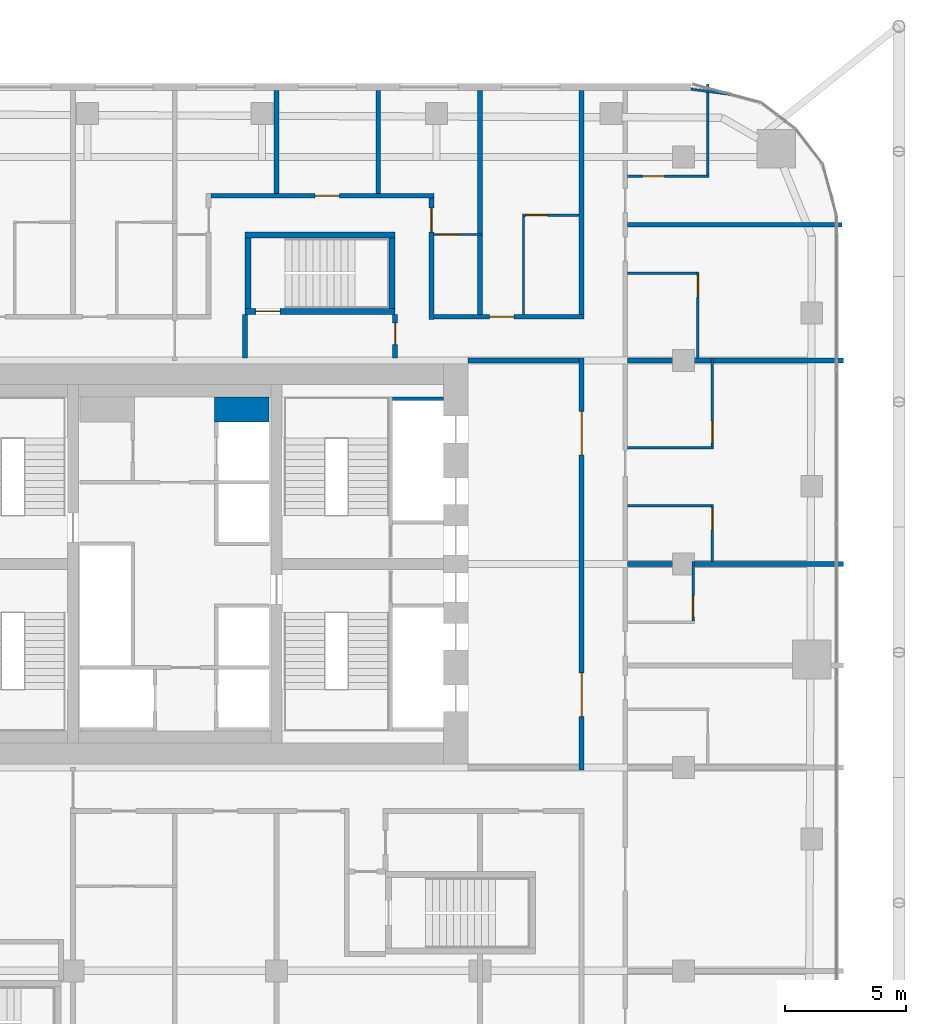
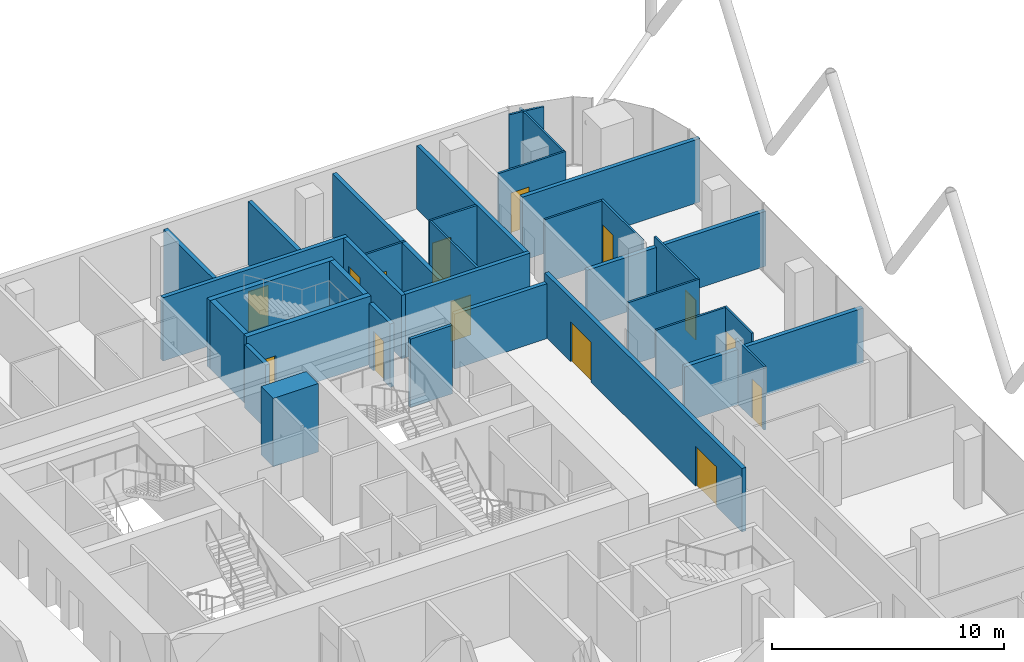
# One storey, part 30 of 33: 33 walls, 14 doors, 14 openings.
"""IFC4 building model written with IfcOpenShell, lengths in metres."""

from ifc_helpers import new_model, si_unit, direction, frame, frame_2d, origin, place, context, subcontext, project, spatial, rectangle, extrude, material, layer, layer_set, type_object, element, fill, save


model = new_model("IFC4")

# Units and contexts
model_context = context("Model", 3, precision=1e-05, world=origin(), true_north=direction((0.0, 1.0)))
body_context = subcontext(model_context, "Body", "Model", "MODEL_VIEW")
ifc_project = project(units=[si_unit("LENGTHUNIT", "METRE"), si_unit("AREAUNIT", "SQUARE_METRE"), si_unit("VOLUMEUNIT", "CUBIC_METRE"), si_unit("PLANEANGLEUNIT", "RADIAN"), si_unit("MASSUNIT", "GRAM", prefix="KILO")], contexts=[model_context])

# Site, building, storey
site_placement = place(None, origin())
site = spatial("IfcSite", under=ifc_project, at=site_placement, CompositionType="ELEMENT")
building_placement = place(site_placement, origin())
building = spatial("IfcBuilding", under=site, at=building_placement, Name="Marenta Gate Hotel Tower", CompositionType="ELEMENT")
storey_placement = place(building_placement, frame((0.0, 0.0, 122.89990234375)))
storey = spatial("IfcBuildingStorey", under=building, at=storey_placement, Name="L27", CompositionType="ELEMENT", Elevation=122.89990234375)

# Wall, openings, doors
ifc_material_1 = material(Name="Concrete blockwork", Category="masonry")
ifc_layer_1 = layer(ifc_material_1, 0.199951171875)
ifc_layer_set_1 = layer_set([ifc_layer_1], Name="Concrete blockwork")
wall_type_1 = type_object("IfcWallType", Name="Core boundary wall 200 REI 180", PredefinedType="PARTITIONING", material=ifc_layer_set_1)
wall_1_placement = place(storey_placement, frame((16.800048828125, -0.10009765625, 0.0), z_axis=(0.0, 0.0, 1.0), x_axis=(0.0, 1.0, 0.0)))
wall_1 = element("IfcWall", 1, at=wall_1_placement, inside=storey, type_object=wall_type_1, Name="L27-CP-BW-E", PredefinedType="PARTITIONING", context=body_context, shape_type="SweptSolid", body=[
    extrude(rectangle(XDim=17.0, YDim=0.199951171875, at=frame_2d((8.5, 0.0))), origin(), (0.0, 0.0, 1.0), 3.340087890625),
])
opening_1_placement = place(wall_1_placement, frame((2.199951171875, 0.0, 0.0)))
opening_1 = element("IfcOpeningElement", 2, at=opening_1_placement, cuts=wall_1, Name="Opening ED-Ea-B", PredefinedType="OPENING", context=body_context, shape_type="SweptSolid", body=[
    extrude(rectangle(XDim=1.800048828125, YDim=2.10009765625, at=frame_2d((0.89990234375, 1.050048828125))), frame((0.0, 0.10009765625, 0.0), z_axis=(0.0, -1.0, 0.0), x_axis=(1.0, 0.0, 0.0)), (0.0, 0.0, 1.0), 0.199951171875),
])
opening_2_placement = place(wall_1_placement, frame((13.0, 0.0, 0.0)))
opening_2 = element("IfcOpeningElement", 3, at=opening_2_placement, cuts=wall_1, Name="Opening ED-Eb-B", PredefinedType="OPENING", context=body_context, shape_type="SweptSolid", body=[
    extrude(rectangle(XDim=1.800048828125, YDim=2.10009765625, at=frame_2d((0.89990234375, 1.050048828125))), frame((0.0, 0.10009765625, 0.0), z_axis=(0.0, -1.0, 0.0), x_axis=(1.0, 0.0, 0.0)), (0.0, 0.0, 1.0), 0.199951171875),
])
ifc_material_2 = material(Name="Steel", Category="steel")
door_type_1 = type_object("IfcDoorType", Name="Core lobby entrance door 1800x2100 EI 60", OperationType="DOUBLE_DOOR_SINGLE_SWING", PredefinedType="DOOR", material=ifc_material_2)
door_1_placement = place(opening_1_placement, origin())
door_1 = element("IfcDoor", 4, at=door_1_placement, inside=storey, type_object=door_type_1, Name="ED-Ea-B", OperationType="DOUBLE_DOOR_SINGLE_SWING", OverallHeight=2.10009765625, OverallWidth=1.800048828125, PredefinedType="DOOR", context=body_context, shape_type="SweptSolid", body=[
    extrude(rectangle(XDim=1.800048828125, YDim=2.10009765625, at=frame_2d((0.89990234375, 1.050048828125))), frame((0.0, 0.02490234375, 0.0), z_axis=(0.0, -1.0, 0.0), x_axis=(1.0, 0.0, 0.0)), (0.0, 0.0, 1.0), 0.050048828125),
])
fill(opening_1, door_1)
door_2_placement = place(opening_2_placement, origin())
door_2 = element("IfcDoor", 5, at=door_2_placement, inside=storey, type_object=door_type_1, Name="ED-Eb-B", OperationType="DOUBLE_DOOR_SINGLE_SWING", OverallHeight=2.10009765625, OverallWidth=1.800048828125, PredefinedType="DOOR", context=body_context, shape_type="SweptSolid", body=[
    extrude(rectangle(XDim=1.800048828125, YDim=2.10009765625, at=frame_2d((0.89990234375, 1.050048828125))), frame((0.0, 0.02490234375, 0.0), z_axis=(0.0, -1.0, 0.0), x_axis=(1.0, 0.0, 0.0)), (0.0, 0.0, 1.0), 0.050048828125),
])
fill(opening_2, door_2)

# Walls
wall_2_placement = place(storey_placement, frame((12.10009765625, 16.800048828125, 0.0), z_axis=(0.0, 0.0, 1.0), x_axis=(1.0, 0.0, 0.0)))
element("IfcWall", 6, at=wall_2_placement, inside=storey, type_object=wall_type_1, Name="L27-CP-EW-EN", PredefinedType="PARTITIONING", context=body_context, shape_type="SweptSolid", body=[
    extrude(rectangle(XDim=4.599853515625, YDim=0.199951171875, at=frame_2d((2.2998046875, 0.0))), origin(), (0.0, 0.0, 1.0), 2.89013671875),
])
ifc_material_3 = material(Name="Concrete C40", Category="concrete")
ifc_layer_2 = layer(ifc_material_3, 1.050048828125)
ifc_layer_set_2 = layer_set([ifc_layer_2], Name="Concrete C40")
wall_type_2 = type_object("IfcWallType", Name="Core shaft wall 1050 REI 180", PredefinedType="SHEAR", material=ifc_layer_set_2)
wall_3_placement = place(storey_placement, frame((1.64990234375, 14.77490234375, 0.0), z_axis=(0.0, 0.0, 1.0), x_axis=(1.0, 0.0, 0.0)))
element("IfcWall", 7, at=wall_3_placement, inside=storey, type_object=wall_type_2, Name="L27-SHF-CE-N-top", PredefinedType="SHEAR", context=body_context, shape_type="SweptSolid", body=[
    extrude(rectangle(XDim=2.25, YDim=1.050048828125, at=frame_2d((1.125, 0.0))), origin(), (0.0, 0.0, 1.0), 3.60009765625),
])
ifc_material_4 = material(Name="Concrete C40", Category="concrete")
ifc_layer_3 = layer(ifc_material_4, 0.14990234375)
ifc_layer_set_3 = layer_set([ifc_layer_3], Name="Concrete C40")
wall_type_3 = type_object("IfcWallType", Name="Core shaft wall 150 REI 180", PredefinedType="SHEAR", material=ifc_layer_set_3)
wall_4_placement = place(storey_placement, frame((9.0, 15.22509765625, 0.0), z_axis=(0.0, 0.0, 1.0), x_axis=(1.0, 0.0, 0.0)))
element("IfcWall", 8, at=wall_4_placement, inside=storey, type_object=wall_type_3, Name="L27-SHF-SW-EN-5", PredefinedType="SHEAR", context=body_context, shape_type="SweptSolid", body=[
    extrude(rectangle(XDim=2.10009765625, YDim=0.14990234375, at=frame_2d((1.050048828125, 0.0))), origin(), (0.0, 0.0, 1.0), 3.60009765625),
])

# Wall, opening, door
ifc_material_5 = material(Name="Concrete C40", Category="concrete")
ifc_layer_4 = layer(ifc_material_5, 0.25)
ifc_layer_set_4 = layer_set([ifc_layer_4], Name="Concrete C40")
wall_type_4 = type_object("IfcWallType", Name="Remote stair enclosure wall 250 REI 180", PredefinedType="SHEAR", material=ifc_layer_set_4)
wall_5_placement = place(storey_placement, frame((2.89990234375, 18.824951171875, 0.10009765625), z_axis=(0.0, 0.0, 1.0), x_axis=(1.0, 0.0, 0.0)))
wall_5 = element("IfcWall", 9, at=wall_5_placement, inside=storey, type_object=wall_type_4, Name="L27-RS-Z2-4-W1", PredefinedType="SHEAR", context=body_context, shape_type="SweptSolid", body=[
    extrude(rectangle(XDim=6.2001953125, YDim=0.25, at=frame_2d((3.10009765625, 0.0))), origin(), (0.0, 0.0, 1.0), 3.60009765625),
])
opening_3_placement = place(wall_5_placement, frame((0.449951171875, 0.0, 0.0)))
opening_3 = element("IfcOpeningElement", 10, at=opening_3_placement, cuts=wall_5, Name="Opening VD", PredefinedType="OPENING", context=body_context, shape_type="SweptSolid", body=[
    extrude(rectangle(XDim=1.0, YDim=2.10009765625, at=frame_2d((0.5, 1.050048828125))), frame((0.0, 0.125, 0.0), z_axis=(0.0, -1.0, 0.0), x_axis=(1.0, 0.0, 0.0)), (0.0, 0.0, 1.0), 0.25),
])
ifc_material_6 = material(Name="Steel", Category="steel")
door_type_2 = type_object("IfcDoorType", Name="Stair vestibule door 1000x2100 FD60", OperationType="SINGLE_SWING_LEFT", PredefinedType="DOOR", material=ifc_material_6)
door_3_placement = place(opening_3_placement, origin())
door_3 = element("IfcDoor", 11, at=door_3_placement, inside=storey, type_object=door_type_2, Name="VD", OperationType="SINGLE_SWING_LEFT", OverallHeight=2.10009765625, OverallWidth=1.0, PredefinedType="DOOR", context=body_context, shape_type="SweptSolid", body=[
    extrude(rectangle(XDim=1.0, YDim=2.10009765625, at=frame_2d((0.5, 1.050048828125))), frame((0.0, 0.02490234375, 0.0), z_axis=(0.0, -1.0, 0.0), x_axis=(1.0, 0.0, 0.0)), (0.0, 0.0, 1.0), 0.050048828125),
])
fill(opening_3, door_3)

# Walls
wall_6_placement = place(storey_placement, frame((2.89990234375, 21.97509765625, 0.10009765625), z_axis=(0.0, 0.0, 1.0), x_axis=(1.0, 0.0, 0.0)))
element("IfcWall", 12, at=wall_6_placement, inside=storey, type_object=wall_type_4, Name="L27-RS-Z2-4-W2", PredefinedType="SHEAR", context=body_context, shape_type="SweptSolid", body=[
    extrude(rectangle(XDim=6.2001953125, YDim=0.25, at=frame_2d((3.10009765625, 0.0))), origin(), (0.0, 0.0, 1.0), 3.60009765625),
])
for number, where, z_axis, x_axis, name in (
    (13, (3.02490234375, 18.949951171875, 0.10009765625), (0.0, 0.0, 1.0), (0.0, 1.0, 0.0), "L27-RS-Z2-4-W3"),
    (14, (8.97509765625, 18.949951171875, 0.10009765625), (0.0, 0.0, 1.0), (0.0, 1.0, 0.0), "L27-RS-Z2-4-W4"),
):
    element("IfcWall", number, at=place(storey_placement, frame(where, z_axis=z_axis, x_axis=x_axis)), inside=storey, type_object=wall_type_4, Name=name, PredefinedType="SHEAR", context=body_context, shape_type="SweptSolid", body=[
        extrude(rectangle(XDim=2.900146484375, YDim=0.25, at=frame_2d((1.4501953125, 0.0))), origin(), (0.0, 0.0, 1.0), 3.60009765625),
    ])

# Wall, opening, door
ifc_material_7 = material(Name="Concrete blockwork", Category="masonry")
ifc_layer_5 = layer(ifc_material_7, 0.199951171875)
ifc_layer_set_5 = layer_set([ifc_layer_5], Name="Concrete blockwork")
wall_type_5 = type_object("IfcWallType", Name="Room corridor wall 200 EI 120", PredefinedType="PARTITIONING", material=ifc_layer_set_5)
wall_7_placement = place(storey_placement, frame((1.5, 23.60009765625, 0.0), z_axis=(0.0, 0.0, 1.0), x_axis=(1.0, 0.0, 0.0)))
wall_7 = element("IfcWall", 15, at=wall_7_placement, inside=storey, type_object=wall_type_5, Name="L27-PTN-W125", PredefinedType="PARTITIONING", context=body_context, shape_type="SweptSolid", body=[
    extrude(rectangle(XDim=9.199951171875, YDim=0.199951171875, at=frame_2d((4.60009765625, 0.0))), origin(), (0.0, 0.0, 1.0), 3.340087890625),
])
opening_4_placement = place(wall_7_placement, frame((4.300048828125, 0.0, 0.0)))
opening_4 = element("IfcOpeningElement", 16, at=opening_4_placement, cuts=wall_7, Name="Opening G09-36", PredefinedType="OPENING", context=body_context, shape_type="SweptSolid", body=[
    extrude(rectangle(XDim=1.0, YDim=2.10009765625, at=frame_2d((0.5, 1.050048828125))), frame((0.0, 0.10009765625, 0.0), z_axis=(0.0, -1.0, 0.0), x_axis=(1.0, 0.0, 0.0)), (0.0, 0.0, 1.0), 0.199951171875),
])
ifc_material_8 = material(Name="Hollow steel door set", Category="steel")
door_type_3 = type_object("IfcDoorType", Name="Room service door 1000x2100 EI 60", OperationType="NOTDEFINED", PredefinedType="DOOR", material=ifc_material_8)
door_4_placement = place(opening_4_placement, origin())
door_4 = element("IfcDoor", 17, at=door_4_placement, inside=storey, type_object=door_type_3, Name="L27-PD-D036", OperationType="SINGLE_SWING_LEFT", OverallHeight=2.10009765625, OverallWidth=1.0, PredefinedType="DOOR", context=body_context, shape_type="SweptSolid", body=[
    extrude(rectangle(XDim=1.0, YDim=2.10009765625, at=frame_2d((0.5, 1.050048828125))), frame((0.0, 0.02490234375, 0.0), z_axis=(0.0, -1.0, 0.0), x_axis=(1.0, 0.0, 0.0)), (0.0, 0.0, 1.0), 0.050048828125),
])
fill(opening_4, door_4)

# Wall
ifc_material_9 = material(Name="Gypsum board on steel stud", Category="steel")
ifc_layer_6 = layer(ifc_material_9, 0.199951171875)
ifc_layer_set_6 = layer_set([ifc_layer_6], Name="Gypsum board on steel stud")
wall_type_6 = type_object("IfcWallType", Name="Room corridor wall 200 EI 60", PredefinedType="PARTITIONING", material=ifc_layer_set_6)
wall_8_placement = place(storey_placement, frame((16.800048828125, 18.699951171875, 0.0), z_axis=(0.0, 0.0, 1.0), x_axis=(0.0, 1.0, 0.0)))
element("IfcWall", 18, at=wall_8_placement, inside=storey, type_object=wall_type_6, Name="L27-PTN-W016", PredefinedType="PARTITIONING", context=body_context, shape_type="SweptSolid", body=[
    extrude(rectangle(XDim=9.239990234375, YDim=0.199951171875, at=frame_2d((4.6201171875, 0.0))), origin(), (0.0, 0.0, 1.0), 3.340087890625),
])

# Wall, opening, door
wall_9_placement = place(storey_placement, frame((10.60009765625, 18.5, 0.0), z_axis=(0.0, 0.0, 1.0), x_axis=(0.0, 1.0, 0.0)))
wall_9 = element("IfcWall", 19, at=wall_9_placement, inside=storey, type_object=wall_type_6, Name="L27-PTN-W036", PredefinedType="PARTITIONING", context=body_context, shape_type="SweptSolid", body=[
    extrude(rectangle(XDim=5.0, YDim=0.199951171875, at=frame_2d((2.5, 0.0))), origin(), (0.0, 0.0, 1.0), 3.340087890625),
])
opening_5_placement = place(wall_9_placement, frame((3.60009765625, 0.0, 0.0)))
opening_5 = element("IfcOpeningElement", 20, at=opening_5_placement, cuts=wall_9, Name="Opening G09-37", PredefinedType="OPENING", context=body_context, shape_type="SweptSolid", body=[
    extrude(rectangle(XDim=1.0, YDim=2.10009765625, at=frame_2d((0.5, 1.050048828125))), frame((0.0, 0.10009765625, 0.0), z_axis=(0.0, -1.0, 0.0), x_axis=(1.0, 0.0, 0.0)), (0.0, 0.0, 1.0), 0.199951171875),
])
ifc_material_10 = material(Name="Timber door leaf", Category="wood")
door_type_4 = type_object("IfcDoorType", Name="Guest room door 1000x2100 EI 30", OperationType="NOTDEFINED", PredefinedType="DOOR", material=ifc_material_10)
door_5_placement = place(opening_5_placement, origin())
door_5 = element("IfcDoor", 21, at=door_5_placement, inside=storey, type_object=door_type_4, Name="L27-PD-D037", OperationType="SINGLE_SWING_LEFT", OverallHeight=2.10009765625, OverallWidth=1.0, PredefinedType="DOOR", context=body_context, shape_type="SweptSolid", body=[
    extrude(rectangle(XDim=1.0, YDim=2.10009765625, at=frame_2d((0.5, 1.050048828125))), frame((0.0, 0.02490234375, 0.0), z_axis=(0.0, -1.0, 0.0), x_axis=(1.0, 0.0, 0.0)), (0.0, 0.0, 1.0), 0.050048828125),
])
fill(opening_5, door_5)

wall_10_placement = place(storey_placement, frame((10.699951171875, 18.60009765625, 0.0), z_axis=(0.0, 0.0, 1.0), x_axis=(1.0, 0.0, 0.0)))
wall_10 = element("IfcWall", 22, at=wall_10_placement, inside=storey, type_object=wall_type_6, Name="L27-PTN-W107", PredefinedType="PARTITIONING", context=body_context, shape_type="SweptSolid", body=[
    extrude(rectangle(XDim=6.199951171875, YDim=0.199951171875, at=frame_2d((3.10009765625, 0.0))), origin(), (0.0, 0.0, 1.0), 3.340087890625),
])
opening_6_placement = place(wall_10_placement, frame((2.300048828125, 0.0, 0.0)))
opening_6 = element("IfcOpeningElement", 23, at=opening_6_placement, cuts=wall_10, Name="Opening G09-39", PredefinedType="OPENING", context=body_context, shape_type="SweptSolid", body=[
    extrude(rectangle(XDim=1.0, YDim=2.10009765625, at=frame_2d((0.5, 1.050048828125))), frame((0.0, 0.10009765625, 0.0), z_axis=(0.0, -1.0, 0.0), x_axis=(1.0, 0.0, 0.0)), (0.0, 0.0, 1.0), 0.199951171875),
])
door_6_placement = place(opening_6_placement, origin())
door_6 = element("IfcDoor", 24, at=door_6_placement, inside=storey, type_object=door_type_4, Name="L27-PD-D039", OperationType="SINGLE_SWING_RIGHT", OverallHeight=2.10009765625, OverallWidth=1.0, PredefinedType="DOOR", context=body_context, shape_type="SweptSolid", body=[
    extrude(rectangle(XDim=1.0, YDim=2.10009765625, at=frame_2d((0.5, 1.050048828125))), frame((0.0, 0.02490234375, 0.0), z_axis=(0.0, -1.0, 0.0), x_axis=(1.0, 0.0, 0.0)), (0.0, 0.0, 1.0), 0.050048828125),
])
fill(opening_6, door_6)

ifc_material_11 = material(Name="Concrete blockwork", Category="masonry")
ifc_layer_7 = layer(ifc_material_11, 0.199951171875)
ifc_layer_set_7 = layer_set([ifc_layer_7], Name="Concrete blockwork")
wall_type_7 = type_object("IfcWallType", Name="Room corridor wall 200 REI 180", PredefinedType="PARTITIONING", material=ifc_layer_set_7)
wall_11_placement = place(storey_placement, frame((9.10009765625, 16.89990234375, 0.0), z_axis=(0.0, 0.0, 1.0), x_axis=(0.0, 1.0, 0.0)))
wall_11 = element("IfcWall", 25, at=wall_11_placement, inside=storey, type_object=wall_type_7, Name="L27-PTN-W037", PredefinedType="PARTITIONING", context=body_context, shape_type="SweptSolid", body=[
    extrude(rectangle(XDim=1.800048828125, YDim=0.199951171875, at=frame_2d((0.89990234375, 0.0))), origin(), (0.0, 0.0, 1.0), 3.340087890625),
])
opening_7_placement = place(wall_11_placement, frame((0.550048828125, 0.0, 0.0)))
opening_7 = element("IfcOpeningElement", 26, at=opening_7_placement, cuts=wall_11, Name="Opening G09-71", PredefinedType="OPENING", context=body_context, shape_type="SweptSolid", body=[
    extrude(rectangle(XDim=0.89990234375, YDim=2.10009765625, at=frame_2d((0.449951171875, 1.050048828125))), frame((0.0, 0.10009765625, 0.0), z_axis=(0.0, -1.0, 0.0), x_axis=(1.0, 0.0, 0.0)), (0.0, 0.0, 1.0), 0.199951171875),
])
ifc_material_12 = material(Name="Hollow steel door set", Category="steel")
door_type_5 = type_object("IfcDoorType", Name="Stair vestibule door 900x2100 EI 60", OperationType="NOTDEFINED", PredefinedType="DOOR", material=ifc_material_12)
door_7_placement = place(opening_7_placement, origin())
door_7 = element("IfcDoor", 27, at=door_7_placement, inside=storey, type_object=door_type_5, Name="L27-PD-D071", OperationType="SINGLE_SWING_RIGHT", OverallHeight=2.10009765625, OverallWidth=0.89990234375, PredefinedType="DOOR", context=body_context, shape_type="SweptSolid", body=[
    extrude(rectangle(XDim=0.89990234375, YDim=2.10009765625, at=frame_2d((0.449951171875, 1.050048828125))), frame((0.0, 0.02490234375, 0.0), z_axis=(0.0, -1.0, 0.0), x_axis=(1.0, 0.0, 0.0)), (0.0, 0.0, 1.0), 0.050048828125),
])
fill(opening_7, door_7)

# Wall
wall_12_placement = place(storey_placement, frame((2.89990234375, 16.89990234375, 0.0), z_axis=(0.0, 0.0, 1.0), x_axis=(0.0, 1.0, 0.0)))
element("IfcWall", 28, at=wall_12_placement, inside=storey, type_object=wall_type_7, Name="L27-PTN-W057", PredefinedType="PARTITIONING", context=body_context, shape_type="SweptSolid", body=[
    extrude(rectangle(XDim=1.800048828125, YDim=0.199951171875, at=frame_2d((0.89990234375, 0.0))), origin(), (0.0, 0.0, 1.0), 3.340087890625),
])

# Wall, opening, door
ifc_material_13 = material(Name="Gypsum board on steel stud", Category="steel")
ifc_layer_8 = layer(ifc_material_13, 0.10009765625)
ifc_layer_set_8 = layer_set([ifc_layer_8], Name="Gypsum board on steel stud")
wall_type_8 = type_object("IfcWallType", Name="Room partition 100", PredefinedType="PARTITIONING", material=ifc_layer_set_8)
wall_13_placement = place(storey_placement, frame((22.199951171875, 8.5, 0.0), z_axis=(0.0, 0.0, 1.0), x_axis=(0.0, 1.0, 0.0)))
wall_13 = element("IfcWall", 29, at=wall_13_placement, inside=storey, type_object=wall_type_8, Name="L27-PTN-W003", PredefinedType="PARTITIONING", context=body_context, shape_type="SweptSolid", body=[
    extrude(rectangle(XDim=2.35009765625, YDim=0.10009765625, at=frame_2d((1.175048828125, 0.0))), origin(), (0.0, 0.0, 1.0), 3.340087890625),
])
opening_8_placement = place(wall_13_placement, frame((1.300048828125, 0.0, 0.0)))
opening_8 = element("IfcOpeningElement", 30, at=opening_8_placement, cuts=wall_13, Name="Opening G09-21", PredefinedType="OPENING", context=body_context, shape_type="SweptSolid", body=[
    extrude(rectangle(XDim=0.89990234375, YDim=2.10009765625, at=frame_2d((0.449951171875, 1.050048828125))), frame((0.0, 0.050048828125, 0.0), z_axis=(0.0, -1.0, 0.0), x_axis=(1.0, 0.0, 0.0)), (0.0, 0.0, 1.0), 0.10009765625),
])
ifc_material_14 = material(Name="Timber door leaf", Category="wood")
door_type_6 = type_object("IfcDoorType", Name="Room inner door 900x2100", OperationType="NOTDEFINED", PredefinedType="DOOR", material=ifc_material_14)
door_8_placement = place(opening_8_placement, origin())
door_8 = element("IfcDoor", 31, at=door_8_placement, inside=storey, type_object=door_type_6, Name="L27-PD-D021", OperationType="SINGLE_SWING_RIGHT", OverallHeight=2.10009765625, OverallWidth=0.89990234375, PredefinedType="DOOR", context=body_context, shape_type="SweptSolid", body=[
    extrude(rectangle(XDim=0.89990234375, YDim=2.10009765625, at=frame_2d((0.449951171875, 1.050048828125))), frame((0.0, 0.02490234375, 0.0), z_axis=(0.0, -1.0, 0.0), x_axis=(1.0, 0.0, 0.0)), (0.0, 0.0, 1.0), 0.050048828125),
])
fill(opening_8, door_8)

wall_14_placement = place(storey_placement, frame((22.199951171875, 13.25, 0.0), z_axis=(0.0, 0.0, 1.0), x_axis=(0.0, 1.0, 0.0)))
wall_14 = element("IfcWall", 32, at=wall_14_placement, inside=storey, type_object=wall_type_8, Name="L27-PTN-W004", PredefinedType="PARTITIONING", context=body_context, shape_type="SweptSolid", body=[
    extrude(rectangle(XDim=3.64990234375, YDim=0.10009765625, at=frame_2d((1.824951171875, 0.0))), origin(), (0.0, 0.0, 1.0), 3.340087890625),
])
opening_9_placement = place(wall_14_placement, frame((0.14990234375, 0.0, 0.0)))
opening_9 = element("IfcOpeningElement", 33, at=opening_9_placement, cuts=wall_14, Name="Opening G09-20", PredefinedType="OPENING", context=body_context, shape_type="SweptSolid", body=[
    extrude(rectangle(XDim=0.89990234375, YDim=2.10009765625, at=frame_2d((0.449951171875, 1.050048828125))), frame((0.0, 0.050048828125, 0.0), z_axis=(0.0, -1.0, 0.0), x_axis=(1.0, 0.0, 0.0)), (0.0, 0.0, 1.0), 0.10009765625),
])
ifc_material_15 = material(Name="Timber door leaf", Category="wood")
door_type_7 = type_object("IfcDoorType", Name="Guest bathroom door 900x2100", OperationType="NOTDEFINED", PredefinedType="DOOR", material=ifc_material_15)
door_9_placement = place(opening_9_placement, origin())
door_9 = element("IfcDoor", 34, at=door_9_placement, inside=storey, type_object=door_type_7, Name="L27-PD-D020", OperationType="SINGLE_SWING_LEFT", OverallHeight=2.10009765625, OverallWidth=0.89990234375, PredefinedType="DOOR", context=body_context, shape_type="SweptSolid", body=[
    extrude(rectangle(XDim=0.89990234375, YDim=2.10009765625, at=frame_2d((0.449951171875, 1.050048828125))), frame((0.0, 0.02490234375, 0.0), z_axis=(0.0, -1.0, 0.0), x_axis=(1.0, 0.0, 0.0)), (0.0, 0.0, 1.0), 0.050048828125),
])
fill(opening_9, door_9)

# Wall
wall_15_placement = place(storey_placement, frame((22.0, 24.449951171875, 0.0), z_axis=(0.0, 0.0, 1.0), x_axis=(0.0, 1.0, 0.0)))
element("IfcWall", 35, at=wall_15_placement, inside=storey, type_object=wall_type_8, Name="L27-PTN-W006", PredefinedType="PARTITIONING", context=body_context, shape_type="SweptSolid", body=[
    extrude(rectangle(XDim=3.758056640625, YDim=0.10009765625, at=frame_2d((1.87890625, 0.0))), origin(), (0.0, 0.0, 1.0), 3.340087890625),
])

# Wall, opening, door
wall_16_placement = place(storey_placement, frame((21.60009765625, 16.89990234375, 0.0), z_axis=(0.0, 0.0, 1.0), x_axis=(0.0, 1.0, 0.0)))
wall_16 = element("IfcWall", 36, at=wall_16_placement, inside=storey, type_object=wall_type_8, Name="L27-PTN-W007", PredefinedType="PARTITIONING", context=body_context, shape_type="SweptSolid", body=[
    extrude(rectangle(XDim=3.550048828125, YDim=0.10009765625, at=frame_2d((1.77490234375, 0.0))), origin(), (0.0, 0.0, 1.0), 3.340087890625),
])
opening_10_placement = place(wall_16_placement, frame((2.5, 0.0, 0.0)))
opening_10 = element("IfcOpeningElement", 37, at=opening_10_placement, cuts=wall_16, Name="Opening G09-23", PredefinedType="OPENING", context=body_context, shape_type="SweptSolid", body=[
    extrude(rectangle(XDim=0.89990234375, YDim=2.10009765625, at=frame_2d((0.449951171875, 1.050048828125))), frame((0.0, 0.050048828125, 0.0), z_axis=(0.0, -1.0, 0.0), x_axis=(1.0, 0.0, 0.0)), (0.0, 0.0, 1.0), 0.10009765625),
])
door_10_placement = place(opening_10_placement, origin())
door_10 = element("IfcDoor", 38, at=door_10_placement, inside=storey, type_object=door_type_7, Name="L27-PD-D023", OperationType="SINGLE_SWING_RIGHT", OverallHeight=2.10009765625, OverallWidth=0.89990234375, PredefinedType="DOOR", context=body_context, shape_type="SweptSolid", body=[
    extrude(rectangle(XDim=0.89990234375, YDim=2.10009765625, at=frame_2d((0.449951171875, 1.050048828125))), frame((0.0, 0.02490234375, 0.0), z_axis=(0.0, -1.0, 0.0), x_axis=(1.0, 0.0, 0.0)), (0.0, 0.0, 1.0), 0.050048828125),
])
fill(opening_10, door_10)

wall_17_placement = place(storey_placement, frame((21.39990234375, 6.050048828125, 0.0), z_axis=(0.0, 0.0, 1.0), x_axis=(0.0, 1.0, 0.0)))
wall_17 = element("IfcWall", 39, at=wall_17_placement, inside=storey, type_object=wall_type_8, Name="L27-PTN-W008", PredefinedType="PARTITIONING", context=body_context, shape_type="SweptSolid", body=[
    extrude(rectangle(XDim=2.449951171875, YDim=0.10009765625, at=frame_2d((1.22509765625, 0.0))), origin(), (0.0, 0.0, 1.0), 3.340087890625),
])
opening_11_placement = place(wall_17_placement, frame((0.14990234375, 0.0, 0.0)))
opening_11 = element("IfcOpeningElement", 40, at=opening_11_placement, cuts=wall_17, Name="Opening G09-18", PredefinedType="OPENING", context=body_context, shape_type="SweptSolid", body=[
    extrude(rectangle(XDim=0.89990234375, YDim=2.10009765625, at=frame_2d((0.449951171875, 1.050048828125))), frame((0.0, 0.050048828125, 0.0), z_axis=(0.0, -1.0, 0.0), x_axis=(1.0, 0.0, 0.0)), (0.0, 0.0, 1.0), 0.10009765625),
])
door_11_placement = place(opening_11_placement, origin())
door_11 = element("IfcDoor", 41, at=door_11_placement, inside=storey, type_object=door_type_7, Name="L27-PD-D018", OperationType="SINGLE_SWING_LEFT", OverallHeight=2.10009765625, OverallWidth=0.89990234375, PredefinedType="DOOR", context=body_context, shape_type="SweptSolid", body=[
    extrude(rectangle(XDim=0.89990234375, YDim=2.10009765625, at=frame_2d((0.449951171875, 1.050048828125))), frame((0.0, 0.02490234375, 0.0), z_axis=(0.0, -1.0, 0.0), x_axis=(1.0, 0.0, 0.0)), (0.0, 0.0, 1.0), 0.050048828125),
])
fill(opening_11, door_11)

# Walls
wall_18_placement = place(storey_placement, frame((14.39990234375, 18.699951171875, 0.0), z_axis=(0.0, 0.0, 1.0), x_axis=(0.0, 1.0, 0.0)))
element("IfcWall", 42, at=wall_18_placement, inside=storey, type_object=wall_type_8, Name="L27-PTN-W023", PredefinedType="PARTITIONING", context=body_context, shape_type="SweptSolid", body=[
    extrude(rectangle(XDim=4.050048828125, YDim=0.10009765625, at=frame_2d((2.02490234375, 0.0))), origin(), (0.0, 0.0, 1.0), 3.340087890625),
])
wall_19_placement = place(storey_placement, frame((18.699951171875, 10.800048828125, 0.0), z_axis=(0.0, 0.0, 1.0), x_axis=(1.0, 0.0, 0.0)))
element("IfcWall", 43, at=wall_19_placement, inside=storey, type_object=wall_type_8, Name="L27-PTN-W088", PredefinedType="PARTITIONING", context=body_context, shape_type="SweptSolid", body=[
    extrude(rectangle(XDim=3.449951171875, YDim=0.10009765625, at=frame_2d((1.72509765625, 0.0))), origin(), (0.0, 0.0, 1.0), 3.340087890625),
])
wall_20_placement = place(storey_placement, frame((18.699951171875, 13.199951171875, 0.0), z_axis=(0.0, 0.0, 1.0), x_axis=(1.0, 0.0, 0.0)))
element("IfcWall", 44, at=wall_20_placement, inside=storey, type_object=wall_type_8, Name="L27-PTN-W093", PredefinedType="PARTITIONING", context=body_context, shape_type="SweptSolid", body=[
    extrude(rectangle(XDim=3.550048828125, YDim=0.10009765625, at=frame_2d((1.77490234375, 0.0))), origin(), (0.0, 0.0, 1.0), 3.340087890625),
])
wall_21_placement = place(storey_placement, frame((18.699951171875, 20.39990234375, 0.0), z_axis=(0.0, 0.0, 1.0), x_axis=(1.0, 0.0, 0.0)))
element("IfcWall", 45, at=wall_21_placement, inside=storey, type_object=wall_type_8, Name="L27-PTN-W109", PredefinedType="PARTITIONING", context=body_context, shape_type="SweptSolid", body=[
    extrude(rectangle(XDim=2.85009765625, YDim=0.10009765625, at=frame_2d((1.425048828125, 0.0))), origin(), (0.0, 0.0, 1.0), 3.340087890625),
])

# Wall, opening, door
wall_22_placement = place(storey_placement, frame((10.699951171875, 22.0, 0.0), z_axis=(0.0, 0.0, 1.0), x_axis=(1.0, 0.0, 0.0)))
wall_22 = element("IfcWall", 46, at=wall_22_placement, inside=storey, type_object=wall_type_8, Name="L27-PTN-W116", PredefinedType="PARTITIONING", context=body_context, shape_type="SweptSolid", body=[
    extrude(rectangle(XDim=2.0, YDim=0.10009765625, at=frame_2d((1.0, 0.0))), origin(), (0.0, 0.0, 1.0), 3.340087890625),
])
opening_12_placement = place(wall_22_placement, frame((0.14990234375, 0.0, 0.0)))
opening_12 = element("IfcOpeningElement", 47, at=opening_12_placement, cuts=wall_22, Name="Opening G09-38", PredefinedType="OPENING", context=body_context, shape_type="SweptSolid", body=[
    extrude(rectangle(XDim=0.89990234375, YDim=2.10009765625, at=frame_2d((0.449951171875, 1.050048828125))), frame((0.0, 0.050048828125, 0.0), z_axis=(0.0, -1.0, 0.0), x_axis=(1.0, 0.0, 0.0)), (0.0, 0.0, 1.0), 0.10009765625),
])
door_12_placement = place(opening_12_placement, origin())
door_12 = element("IfcDoor", 48, at=door_12_placement, inside=storey, type_object=door_type_7, Name="L27-PD-D038", OperationType="SINGLE_SWING_RIGHT", OverallHeight=2.10009765625, OverallWidth=0.89990234375, PredefinedType="DOOR", context=body_context, shape_type="SweptSolid", body=[
    extrude(rectangle(XDim=0.89990234375, YDim=2.10009765625, at=frame_2d((0.449951171875, 1.050048828125))), frame((0.0, 0.02490234375, 0.0), z_axis=(0.0, -1.0, 0.0), x_axis=(1.0, 0.0, 0.0)), (0.0, 0.0, 1.0), 0.050048828125),
])
fill(opening_12, door_12)

wall_23_placement = place(storey_placement, frame((14.35009765625, 22.800048828125, 0.0), z_axis=(0.0, 0.0, 1.0), x_axis=(1.0, 0.0, 0.0)))
wall_23 = element("IfcWall", 49, at=wall_23_placement, inside=storey, type_object=wall_type_8, Name="L27-PTN-W124", PredefinedType="PARTITIONING", context=body_context, shape_type="SweptSolid", body=[
    extrude(rectangle(XDim=2.349853515625, YDim=0.10009765625, at=frame_2d((1.1748046875, 0.0))), origin(), (0.0, 0.0, 1.0), 3.340087890625),
])
opening_13_placement = place(wall_23_placement, frame((0.14990234375, 0.0, 0.0)))
opening_13 = element("IfcOpeningElement", 50, at=opening_13_placement, cuts=wall_23, Name="Opening G09-40", PredefinedType="OPENING", context=body_context, shape_type="SweptSolid", body=[
    extrude(rectangle(XDim=0.89990234375, YDim=2.10009765625, at=frame_2d((0.449951171875, 1.050048828125))), frame((0.0, 0.050048828125, 0.0), z_axis=(0.0, -1.0, 0.0), x_axis=(1.0, 0.0, 0.0)), (0.0, 0.0, 1.0), 0.10009765625),
])
door_13_placement = place(opening_13_placement, origin())
door_13 = element("IfcDoor", 51, at=door_13_placement, inside=storey, type_object=door_type_7, Name="L27-PD-D040", OperationType="SINGLE_SWING_RIGHT", OverallHeight=2.10009765625, OverallWidth=0.89990234375, PredefinedType="DOOR", context=body_context, shape_type="SweptSolid", body=[
    extrude(rectangle(XDim=0.89990234375, YDim=2.10009765625, at=frame_2d((0.449951171875, 1.050048828125))), frame((0.0, 0.02490234375, 0.0), z_axis=(0.0, -1.0, 0.0), x_axis=(1.0, 0.0, 0.0)), (0.0, 0.0, 1.0), 0.050048828125),
])
fill(opening_13, door_13)

wall_24_placement = place(storey_placement, frame((18.699951171875, 24.39990234375, 0.0), z_axis=(0.0, 0.0, 1.0), x_axis=(1.0, 0.0, 0.0)))
wall_24 = element("IfcWall", 52, at=wall_24_placement, inside=storey, type_object=wall_type_8, Name="L27-PTN-W127", PredefinedType="PARTITIONING", context=body_context, shape_type="SweptSolid", body=[
    extrude(rectangle(XDim=3.35009765625, YDim=0.10009765625, at=frame_2d((1.675048828125, 0.0))), origin(), (0.0, 0.0, 1.0), 3.340087890625),
])
opening_14_placement = place(wall_24_placement, frame((0.6201171875, 0.0, 0.0)))
opening_14 = element("IfcOpeningElement", 53, at=opening_14_placement, cuts=wall_24, Name="Opening G09-25", PredefinedType="OPENING", context=body_context, shape_type="SweptSolid", body=[
    extrude(rectangle(XDim=0.89990234375, YDim=2.10009765625, at=frame_2d((0.449951171875, 1.050048828125))), frame((0.0, 0.050048828125, 0.0), z_axis=(0.0, -1.0, 0.0), x_axis=(1.0, 0.0, 0.0)), (0.0, 0.0, 1.0), 0.10009765625),
])
door_14_placement = place(opening_14_placement, origin())
door_14 = element("IfcDoor", 54, at=door_14_placement, inside=storey, type_object=door_type_7, Name="L27-PD-D025", OperationType="SINGLE_SWING_RIGHT", OverallHeight=2.10009765625, OverallWidth=0.89990234375, PredefinedType="DOOR", context=body_context, shape_type="SweptSolid", body=[
    extrude(rectangle(XDim=0.89990234375, YDim=2.10009765625, at=frame_2d((0.449951171875, 1.050048828125))), frame((0.0, 0.02490234375, 0.0), z_axis=(0.0, -1.0, 0.0), x_axis=(1.0, 0.0, 0.0)), (0.0, 0.0, 1.0), 0.050048828125),
])
fill(opening_14, door_14)

# Walls
wall_25_placement = place(storey_placement, frame((21.31201171875, 27.998046875, 0.0), z_axis=(0.0, 0.0, 1.0), x_axis=(0.991547575144, -0.129743617284, 0.0)))
element("IfcWall", 55, at=wall_25_placement, inside=storey, type_object=wall_type_8, Name="L27-PTN-W129", PredefinedType="PARTITIONING", context=body_context, shape_type="SweptSolid", body=[
    extrude(rectangle(XDim=1.625732421875, YDim=0.10009765625, at=frame_2d((0.81298828125, 0.0))), origin(), (0.0, 0.0, 1.0), 3.340087890625),
])
ifc_material_16 = material(Name="Concrete blockwork", Category="masonry")
ifc_layer_9 = layer(ifc_material_16, 0.199951171875)
ifc_layer_set_9 = layer_set([ifc_layer_9], Name="Concrete blockwork")
wall_type_9 = type_object("IfcWallType", Name="Room party wall 200 EI 120", PredefinedType="PARTITIONING", material=ifc_layer_set_9)
for number, where, z_axis, x_axis, name in (
    (56, (8.39990234375, 23.699951171875, 0.0), (0.0, 0.0, 1.0), (0.0, 1.0, 0.0), "L27-PTN-W040"),
    (57, (4.199951171875, 23.699951171875, 0.0), (0.0, 0.0, 1.0), (0.0, 1.0, 0.0), "L27-PTN-W055"),
):
    element("IfcWall", number, at=place(storey_placement, frame(where, z_axis=z_axis, x_axis=x_axis)), inside=storey, type_object=wall_type_9, Name=name, PredefinedType="PARTITIONING", context=body_context, shape_type="SweptSolid", body=[
        extrude(rectangle(XDim=4.239990234375, YDim=0.199951171875, at=frame_2d((2.1201171875, 0.0))), origin(), (0.0, 0.0, 1.0), 3.340087890625),
    ])
ifc_material_17 = material(Name="Gypsum board on steel stud", Category="steel")
ifc_layer_10 = layer(ifc_material_17, 0.199951171875)
ifc_layer_set_10 = layer_set([ifc_layer_10], Name="Gypsum board on steel stud")
wall_type_10 = type_object("IfcWallType", Name="Room party wall 200 EI 60", PredefinedType="PARTITIONING", material=ifc_layer_set_10)
wall_26_placement = place(storey_placement, frame((12.60009765625, 18.699951171875, 0.0), z_axis=(0.0, 0.0, 1.0), x_axis=(0.0, 1.0, 0.0)))
element("IfcWall", 58, at=wall_26_placement, inside=storey, type_object=wall_type_10, Name="L27-PTN-W031", PredefinedType="PARTITIONING", context=body_context, shape_type="SweptSolid", body=[
    extrude(rectangle(XDim=9.239990234375, YDim=0.199951171875, at=frame_2d((4.6201171875, 0.0))), origin(), (0.0, 0.0, 1.0), 3.340087890625),
])
for number, where, z_axis, x_axis, name in (
    (59, (18.699951171875, 8.39990234375, 0.0), (0.0, 0.0, 1.0), (1.0, 0.0, 0.0), "L27-PTN-W083"),
    (60, (18.699951171875, 16.800048828125, 0.0), (0.0, 0.0, 1.0), (1.0, 0.0, 0.0), "L27-PTN-W101"),
):
    element("IfcWall", number, at=place(storey_placement, frame(where, z_axis=z_axis, x_axis=x_axis)), inside=storey, type_object=wall_type_10, Name=name, PredefinedType="PARTITIONING", context=body_context, shape_type="SweptSolid", body=[
        extrude(rectangle(XDim=8.900146484375, YDim=0.199951171875, at=frame_2d((4.4501953125, 0.0))), origin(), (0.0, 0.0, 1.0), 2.89013671875),
    ])
wall_27_placement = place(storey_placement, frame((18.699951171875, 22.39990234375, 0.0), z_axis=(0.0, 0.0, 1.0), x_axis=(1.0, 0.0, 0.0)))
element("IfcWall", 61, at=wall_27_placement, inside=storey, type_object=wall_type_10, Name="L27-PTN-W118", PredefinedType="PARTITIONING", context=body_context, shape_type="SweptSolid", body=[
    extrude(rectangle(XDim=8.84716796875, YDim=0.199951171875, at=frame_2d((4.423583984375, 0.0))), origin(), (0.0, 0.0, 1.0), 3.340087890625),
])

save(model, "model.ifc")
